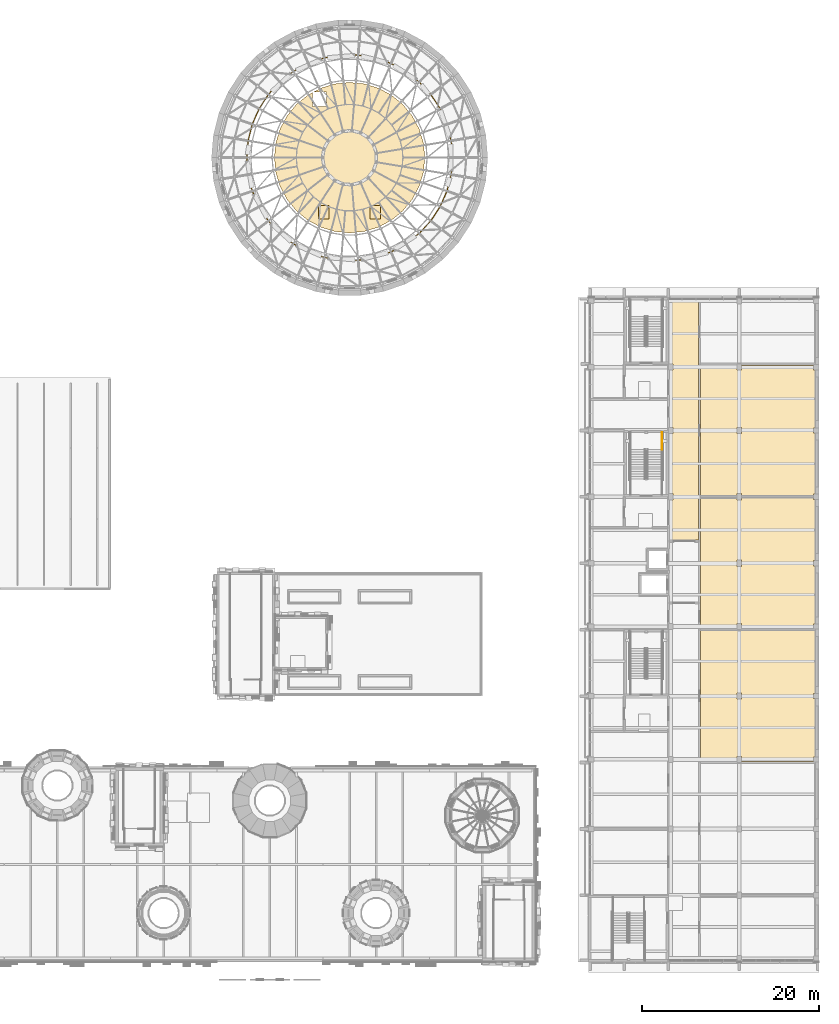
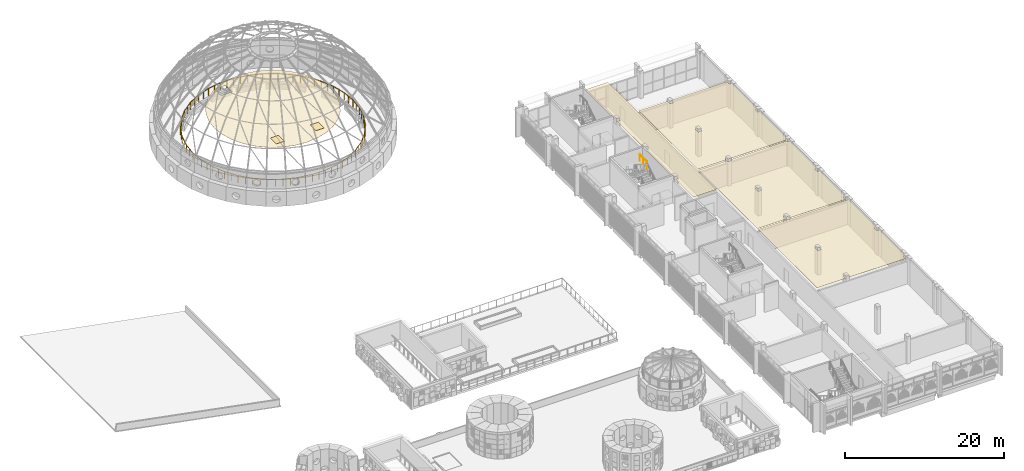
# One storey, part 94 of 98: 7 coverings, 2 railings.
"""IFC4 building model written with IfcOpenShell, lengths in metres."""

from ifc_helpers import new_model, si_unit, direction, frame, origin, origin_2d, place, context, subcontext, project, spatial, polyline, circle, outline, extrude, material, layer, layer_set, type_object, element, save


model = new_model("IFC4")

# Units and contexts
model_context = context("Model", 3, precision=1e-05, world=origin(), true_north=direction((0.0, 1.0)))
body_context = subcontext(model_context, "Body", "Model", "MODEL_VIEW")
ifc_project = project(units=[si_unit("LENGTHUNIT", "METRE"), si_unit("AREAUNIT", "SQUARE_METRE"), si_unit("VOLUMEUNIT", "CUBIC_METRE"), si_unit("PLANEANGLEUNIT", "RADIAN"), si_unit("MASSUNIT", "GRAM", prefix="KILO")], contexts=[model_context])

# Site, building, storey
site_placement = place(None, origin())
site = spatial("IfcSite", under=ifc_project, at=site_placement, CompositionType="ELEMENT")
building_placement = place(site_placement, origin())
building = spatial("IfcBuilding", under=site, at=building_placement, Name="Sun Court Science Centre", CompositionType="ELEMENT")
storey_placement = place(building_placement, frame((0.0, 0.0, 15.75)))
storey = spatial("IfcBuildingStorey", under=building, at=storey_placement, Name="L03", CompositionType="ELEMENT", Elevation=15.75)

# Coverings
ifc_material_1 = material(Name="Perforated steel", Category="steel")
ifc_layer_1 = layer(ifc_material_1, 0.030029296875)
ifc_layer_set_1 = layer_set([ifc_layer_1], Name="Perforated steel")
covering_type_1 = type_object("IfcCoveringType", Name="Ceiling acoustic perforated", PredefinedType="CEILING", material=ifc_layer_set_1)
covering_1_placement = place(storey_placement, frame((0.0, 0.0, 3.77001953125)))
element("IfcCovering", 1, at=covering_1_placement, inside=storey, type_object=covering_type_1, Name="L01-071 ceiling", PredefinedType="CEILING", context=body_context, shape_type="SweptSolid", body=[
    extrude(outline(polyline([(49.341796875, 105.13623046875), (51.0, 105.299560546875), (52.658203125, 105.13623046875), (54.252685546875, 104.652587890625), (55.72216796875, 103.8671875), (57.010009765625, 102.81005859375), (58.067138671875, 101.522216796875), (58.8525390625, 100.052490234375), (59.336181640625, 98.458251953125), (59.49951171875, 96.800048828125), (59.336181640625, 95.141845703125), (58.8525390625, 93.54736328125), (58.067138671875, 92.077880859375), (57.010009765625, 90.789794921875), (55.72216796875, 89.73291015625), (54.252685546875, 88.947509765625), (52.658203125, 88.4638671875), (51.0, 88.300537109375), (49.341796875, 88.4638671875), (47.747314453125, 88.947509765625), (46.27783203125, 89.73291015625), (44.989990234375, 90.789794921875), (43.932861328125, 92.077880859375), (43.1474609375, 93.54736328125), (42.663818359375, 95.141845703125), (42.50048828125, 96.800048828125), (42.663818359375, 98.458251953125), (43.1474609375, 100.052490234375), (43.932861328125, 101.522216796875), (44.989990234375, 102.81005859375), (46.27783203125, 103.8671875), (46.800048828125, 104.14599609375), (46.800048828125, 102.60009765625), (48.39990234375, 102.60009765625), (48.39990234375, 104.199951171875), (46.90087890625, 104.199951171875), (47.747314453125, 104.652587890625), (49.341796875, 105.13623046875)]), holes=[polyline([(53.300048828125, 91.39990234375), (53.300048828125, 89.89990234375), (54.5, 89.89990234375), (54.5, 91.39990234375), (53.300048828125, 91.39990234375)]), polyline([(47.5, 91.39990234375), (47.5, 89.89990234375), (48.699951171875, 89.89990234375), (48.699951171875, 91.39990234375), (47.5, 91.39990234375)])]), origin(), (0.0, 0.0, 1.0), 0.030029296875),
])
ifc_material_2 = material(Name="Gypsum board")
ifc_layer_2 = layer(ifc_material_2, 0.030029296875)
ifc_layer_set_2 = layer_set([ifc_layer_2], Name="Gypsum board")
covering_type_2 = type_object("IfcCoveringType", Name="Ceiling suspended 600 module", PredefinedType="CEILING", material=ifc_layer_set_2)
covering_2_placement = place(storey_placement, frame((0.0, 0.0, 3.77001953125)))
element("IfcCovering", 2, at=covering_2_placement, inside=storey, type_object=covering_type_2, Name="L01-078 ceiling", PredefinedType="CEILING", context=body_context, shape_type="SweptSolid", body=[
    extrude(outline(polyline([(48.699951171875, 91.39990234375), (48.699951171875, 89.89990234375), (47.5, 89.89990234375), (47.5, 91.39990234375), (48.699951171875, 91.39990234375)])), origin(), (0.0, 0.0, 1.0), 0.030029296875),
])
covering_3_placement = place(storey_placement, frame((0.0, 0.0, 3.77001953125)))
element("IfcCovering", 3, at=covering_3_placement, inside=storey, type_object=covering_type_2, Name="L01-079 ceiling", PredefinedType="CEILING", context=body_context, shape_type="SweptSolid", body=[
    extrude(outline(polyline([(54.5, 91.39990234375), (54.5, 89.89990234375), (53.300048828125, 89.89990234375), (53.300048828125, 91.39990234375), (54.5, 91.39990234375)])), origin(), (0.0, 0.0, 1.0), 0.030029296875),
])
covering_4_placement = place(storey_placement, frame((0.0, 0.0, 3.77001953125)))
element("IfcCovering", 4, at=covering_4_placement, inside=storey, type_object=covering_type_2, Name="L03-011 ceiling", PredefinedType="CEILING", context=body_context, shape_type="SweptSolid", body=[
    extrude(outline(polyline([(90.39990234375, 80.800048828125), (90.39990234375, 53.60009765625), (87.10009765625, 53.60009765625), (87.10009765625, 58.14990234375), (87.5, 58.14990234375), (87.5, 58.85009765625), (87.10009765625, 58.85009765625), (87.10009765625, 65.64990234375), (87.5, 65.64990234375), (87.5, 66.35009765625), (87.10009765625, 66.35009765625), (87.10009765625, 72.800048828125), (87.5, 72.800048828125), (87.5, 73.5), (87.10009765625, 73.5), (87.10009765625, 80.800048828125), (90.39990234375, 80.800048828125)])), origin(), (0.0, 0.0, 1.0), 0.030029296875),
])
covering_5_placement = place(storey_placement, frame((0.0, 0.0, 3.77001953125)))
element("IfcCovering", 5, at=covering_5_placement, inside=storey, type_object=covering_type_2, Name="L03-025 ceiling", PredefinedType="CEILING", context=body_context, shape_type="SweptSolid", body=[
    extrude(outline(polyline([(95.25, 28.60009765625), (95.25, 29.199951171875), (94.75, 29.199951171875), (94.75, 28.60009765625), (90.60009765625, 28.60009765625), (90.60009765625, 43.39990234375), (103.800048828125, 43.39990234375), (103.800048828125, 36.300048828125), (103.39990234375, 36.300048828125), (103.39990234375, 35.699951171875), (103.800048828125, 35.699951171875), (103.800048828125, 29.14990234375), (103.39990234375, 29.14990234375), (103.39990234375, 28.60009765625), (95.25, 28.60009765625)]), holes=[polyline([(95.25, 35.64990234375), (95.25, 36.35009765625), (94.75, 36.35009765625), (94.75, 35.64990234375), (95.25, 35.64990234375)])]), origin(), (0.0, 0.0, 1.0), 0.030029296875),
])
covering_6_placement = place(storey_placement, frame((0.0, 0.0, 3.77001953125)))
element("IfcCovering", 6, at=covering_6_placement, inside=storey, type_object=covering_type_2, Name="L03-026 ceiling", PredefinedType="CEILING", context=body_context, shape_type="SweptSolid", body=[
    extrude(outline(polyline([(95.25, 43.60009765625), (95.25, 44.199951171875), (94.75, 44.199951171875), (94.75, 43.60009765625), (90.60009765625, 43.60009765625), (90.60009765625, 58.39990234375), (94.75, 58.39990234375), (94.75, 58.14990234375), (95.25, 58.14990234375), (95.25, 58.39990234375), (103.39990234375, 58.39990234375), (103.39990234375, 58.199951171875), (103.800048828125, 58.199951171875), (103.800048828125, 51.300048828125), (103.39990234375, 51.300048828125), (103.39990234375, 50.699951171875), (103.800048828125, 50.699951171875), (103.800048828125, 44.14990234375), (103.39990234375, 44.14990234375), (103.39990234375, 43.60009765625), (95.25, 43.60009765625)]), holes=[polyline([(95.25, 50.64990234375), (95.25, 51.35009765625), (94.75, 51.35009765625), (94.75, 50.64990234375), (95.25, 50.64990234375)])]), origin(), (0.0, 0.0, 1.0), 0.030029296875),
])
covering_7_placement = place(storey_placement, frame((0.0, 0.0, 3.77001953125)))
element("IfcCovering", 7, at=covering_7_placement, inside=storey, type_object=covering_type_2, Name="L03-027 ceiling", PredefinedType="CEILING", context=body_context, shape_type="SweptSolid", body=[
    extrude(outline(polyline([(95.25, 58.60009765625), (95.25, 58.85009765625), (94.75, 58.85009765625), (94.75, 58.60009765625), (90.60009765625, 58.60009765625), (90.60009765625, 73.39990234375), (94.75, 73.39990234375), (94.75, 72.800048828125), (95.25, 72.800048828125), (95.25, 73.39990234375), (103.39990234375, 73.39990234375), (103.39990234375, 72.85009765625), (103.800048828125, 72.85009765625), (103.800048828125, 66.300048828125), (103.39990234375, 66.300048828125), (103.39990234375, 65.699951171875), (103.800048828125, 65.699951171875), (103.800048828125, 58.800048828125), (103.39990234375, 58.800048828125), (103.39990234375, 58.60009765625), (95.25, 58.60009765625)]), holes=[polyline([(95.25, 66.35009765625), (94.75, 66.35009765625), (94.75, 65.64990234375), (95.25, 65.64990234375), (95.25, 66.35009765625)])]), origin(), (0.0, 0.0, 1.0), 0.030029296875),
])

# Railings
ifc_material_3 = material(Name="Steel S275", Category="steel")
railing_type_1 = type_object("IfcRailingType", Name="Guard 1100 steel balustrade", PredefinedType="GUARDRAIL", material=ifc_material_3)
railing_1_placement = place(storey_placement, frame((86.27294921875, 63.85791015625, 2.25)))
element("IfcRailing", 8, at=railing_1_placement, inside=storey, type_object=railing_type_1, Name="L03 SL3 stair guard 3", PredefinedType="GUARDRAIL", context=body_context, shape_type="SweptSolid", body=[
    extrude(circle(Radius=0.02392578125, at=origin_2d()), frame((0.0, 0.0, 1.076171875), z_axis=(0.0, 1.0, 0.0), x_axis=(-1.0, 0.0, 0.0)), (0.0, 0.0, 1.0), 1.89208984375),
    extrude(circle(Radius=0.02099609375, at=origin_2d()), origin(), (0.0, 0.0, 1.0), 1.052001953125),
    extrude(circle(Radius=0.02099609375, at=origin_2d()), frame((0.0, 0.946044921875, 0.0)), (0.0, 0.0, 1.0), 1.052001953125),
    extrude(circle(Radius=0.02099609375, at=origin_2d()), frame((0.0, 1.89208984375, 0.0)), (0.0, 0.0, 1.0), 1.052001953125),
])
ifc_material_4 = material(Name="Steel S275", Category="steel")
railing_type_2 = type_object("IfcRailingType", Name="Guard 1100 well balustrade", PredefinedType="GUARDRAIL", material=ifc_material_4)
railing_2_placement = place(storey_placement, frame((62.46142578125, 98.712646484375, 0.0)))
element("IfcRailing", 9, at=railing_2_placement, inside=storey, type_object=railing_type_2, Name="Planetarium gallery guard L03", PredefinedType="GUARDRAIL", context=body_context, shape_type="SweptSolid", body=[
    extrude(circle(Radius=0.02392578125, at=origin_2d()), frame((0.0, 0.0, 1.076171875), z_axis=(-0.245408246446, 0.969419822665, 0.0), x_axis=(-0.969419822665, -0.245408246446, 0.0)), (0.0, 0.0, 1.0), 1.9189453125),
    extrude(circle(Radius=0.02392578125, at=origin_2d()), frame((-0.470947265625, 1.8603515625, 1.076171875), z_axis=(-0.401719515617, 0.915762759001, 0.0), x_axis=(-0.915762759001, -0.401719515617, 0.0)), (0.0, 0.0, 1.0), 1.919189453125),
    extrude(circle(Radius=0.02392578125, at=origin_2d()), frame((-1.241943359375, 3.617919921875, 1.076171875), z_axis=(-0.546896276847, 0.837200371698, 0.0), x_axis=(-0.837200371698, -0.546896276847, 0.0)), (0.0, 0.0, 1.0), 1.919189453125),
    extrude(circle(Radius=0.02392578125, at=origin_2d()), frame((-2.29150390625, 5.224609375, 1.076171875), z_axis=(-0.677307289058, 0.735700235278, 0.0), x_axis=(-0.735700235278, -0.677307289058, 0.0)), (0.0, 0.0, 1.0), 1.919189453125),
    extrude(circle(Radius=0.02392578125, at=origin_2d()), frame((-3.59130859375, 6.636474609375, 1.076171875), z_axis=(-0.789187799417, 0.614151949643, 0.0), x_axis=(-0.614151949643, -0.789187799417, 0.0)), (0.0, 0.0, 1.0), 1.919189453125),
    extrude(circle(Radius=0.02392578125, at=origin_2d()), frame((-5.10595703125, 7.815185546875, 1.076171875), z_axis=(-0.87942734087, 0.47603314184, 0.0), x_axis=(-0.47603314184, -0.87942734087, 0.0)), (0.0, 0.0, 1.0), 1.919189453125),
    extrude(circle(Radius=0.02392578125, at=origin_2d()), frame((-6.793701171875, 8.728759765625, 1.076171875), z_axis=(-0.945834380521, 0.324649541236, 0.0), x_axis=(-0.324649541236, -0.945834380521, 0.0)), (0.0, 0.0, 1.0), 1.919189453125),
    extrude(circle(Radius=0.02392578125, at=origin_2d()), frame((-8.60888671875, 9.351806640625, 1.076171875), z_axis=(-0.986359522116, 0.164605264588, 0.0), x_axis=(-0.164605264588, -0.986359522116, 0.0)), (0.0, 0.0, 1.0), 1.919189453125),
    extrude(circle(Radius=0.02392578125, at=origin_2d()), frame((-10.501953125, 9.667724609375, 1.076171875), z_axis=(-1.0, 0.0, 0.0), x_axis=(0.0, -1.0, 0.0)), (0.0, 0.0, 1.0), 1.9189453125),
    extrude(circle(Radius=0.02392578125, at=origin_2d()), frame((-12.4208984375, 9.667724609375, 1.076171875), z_axis=(-0.986359522116, -0.164605264588, 0.0), x_axis=(0.164605264588, -0.986359522116, 0.0)), (0.0, 0.0, 1.0), 1.919189453125),
    extrude(circle(Radius=0.02392578125, at=origin_2d()), frame((-14.31396484375, 9.351806640625, 1.076171875), z_axis=(-0.945834380521, -0.324649541236, 0.0), x_axis=(0.324649541236, -0.945834380521, 0.0)), (0.0, 0.0, 1.0), 1.919189453125),
    extrude(circle(Radius=0.02392578125, at=origin_2d()), frame((-16.129150390625, 8.728759765625, 1.076171875), z_axis=(-0.87942734087, -0.47603314184, 0.0), x_axis=(0.47603314184, -0.87942734087, 0.0)), (0.0, 0.0, 1.0), 1.919189453125),
    extrude(circle(Radius=0.02392578125, at=origin_2d()), frame((-17.81689453125, 7.815185546875, 1.076171875), z_axis=(-0.789187799417, -0.614151949643, 0.0), x_axis=(0.614151949643, -0.789187799417, 0.0)), (0.0, 0.0, 1.0), 1.919189453125),
    extrude(circle(Radius=0.02392578125, at=origin_2d()), frame((-19.33154296875, 6.636474609375, 1.076171875), z_axis=(-0.677307289058, -0.735700235278, 0.0), x_axis=(0.735700235278, -0.677307289058, 0.0)), (0.0, 0.0, 1.0), 1.919189453125),
    extrude(circle(Radius=0.02392578125, at=origin_2d()), frame((-20.63134765625, 5.224609375, 1.076171875), z_axis=(-0.546896276847, -0.837200371698, 0.0), x_axis=(0.837200371698, -0.546896276847, 0.0)), (0.0, 0.0, 1.0), 1.919189453125),
    extrude(circle(Radius=0.02392578125, at=origin_2d()), frame((-21.680908203125, 3.617919921875, 1.076171875), z_axis=(-0.401719515617, -0.915762759001, 0.0), x_axis=(0.915762759001, -0.401719515617, 0.0)), (0.0, 0.0, 1.0), 1.919189453125),
    extrude(circle(Radius=0.02392578125, at=origin_2d()), frame((-22.451904296875, 1.8603515625, 1.076171875), z_axis=(-0.245408246446, -0.969419822665, 0.0), x_axis=(0.969419822665, -0.245408246446, 0.0)), (0.0, 0.0, 1.0), 1.9189453125),
    extrude(circle(Radius=0.02392578125, at=origin_2d()), frame((-22.9228515625, 0.0, 1.076171875), z_axis=(-0.082687527428, -0.996575522882, 0.0), x_axis=(0.996575522882, -0.082687527428, 0.0)), (0.0, 0.0, 1.0), 1.919189453125),
    extrude(circle(Radius=0.02392578125, at=origin_2d()), frame((-23.08154296875, -1.91259765625, 1.076171875), z_axis=(0.082687527428, -0.996575522882, 0.0), x_axis=(0.996575522882, 0.082687527428, 0.0)), (0.0, 0.0, 1.0), 1.919189453125),
    extrude(circle(Radius=0.02392578125, at=origin_2d()), frame((-22.9228515625, -3.8251953125, 1.076171875), z_axis=(0.245408246446, -0.969419822665, 0.0), x_axis=(0.969419822665, 0.245408246446, 0.0)), (0.0, 0.0, 1.0), 1.9189453125),
    extrude(circle(Radius=0.02392578125, at=origin_2d()), frame((-22.451904296875, -5.685546875, 1.076171875), z_axis=(0.401719515617, -0.915762759001, 0.0), x_axis=(0.915762759001, 0.401719515617, 0.0)), (0.0, 0.0, 1.0), 1.919189453125),
    extrude(circle(Radius=0.02392578125, at=origin_2d()), frame((-21.680908203125, -7.443115234375, 1.076171875), z_axis=(0.546896276847, -0.837200371698, 0.0), x_axis=(0.837200371698, 0.546896276847, 0.0)), (0.0, 0.0, 1.0), 1.919189453125),
    extrude(circle(Radius=0.02392578125, at=origin_2d()), frame((-20.63134765625, -9.0498046875, 1.076171875), z_axis=(0.677307289058, -0.735700235278, 0.0), x_axis=(0.735700235278, 0.677307289058, 0.0)), (0.0, 0.0, 1.0), 1.919189453125),
    extrude(circle(Radius=0.02392578125, at=origin_2d()), frame((-19.33154296875, -10.461669921875, 1.076171875), z_axis=(0.789126145759, -0.614231166646, 0.0), x_axis=(0.614231166646, 0.789126145759, 0.0)), (0.0, 0.0, 1.0), 1.91943359375),
    extrude(circle(Radius=0.02392578125, at=origin_2d()), frame((-17.81689453125, -11.640625, 1.076171875), z_axis=(0.879480594838, -0.475934746896, 0.0), x_axis=(0.475934746896, 0.879480594838, 0.0)), (0.0, 0.0, 1.0), 1.9189453125),
    extrude(circle(Radius=0.02392578125, at=origin_2d()), frame((-16.129150390625, -12.553955078125, 1.076171875), z_axis=(0.945834380521, -0.324649541236, 0.0), x_axis=(0.324649541236, 0.945834380521, 0.0)), (0.0, 0.0, 1.0), 1.919189453125),
    extrude(circle(Radius=0.02392578125, at=origin_2d()), frame((-14.31396484375, -13.177001953125, 1.076171875), z_axis=(0.986359522116, -0.164605264588, 0.0), x_axis=(0.164605264588, 0.986359522116, 0.0)), (0.0, 0.0, 1.0), 1.919189453125),
    extrude(circle(Radius=0.02392578125, at=origin_2d()), frame((-12.4208984375, -13.492919921875, 1.076171875), z_axis=(1.0, 0.0, 0.0), x_axis=(0.0, 1.0, 0.0)), (0.0, 0.0, 1.0), 1.9189453125),
    extrude(circle(Radius=0.02392578125, at=origin_2d()), frame((-10.501953125, -13.492919921875, 1.076171875), z_axis=(0.986359522116, 0.164605264588, 0.0), x_axis=(-0.164605264588, 0.986359522116, 0.0)), (0.0, 0.0, 1.0), 1.919189453125),
    extrude(circle(Radius=0.02392578125, at=origin_2d()), frame((-8.60888671875, -13.177001953125, 1.076171875), z_axis=(0.945834380521, 0.324649541236, 0.0), x_axis=(-0.324649541236, 0.945834380521, 0.0)), (0.0, 0.0, 1.0), 1.919189453125),
    extrude(circle(Radius=0.02392578125, at=origin_2d()), frame((-6.793701171875, -12.553955078125, 1.076171875), z_axis=(0.879480594838, 0.475934746896, 0.0), x_axis=(-0.475934746896, 0.879480594838, 0.0)), (0.0, 0.0, 1.0), 1.9189453125),
    extrude(circle(Radius=0.02392578125, at=origin_2d()), frame((-5.10595703125, -11.640625, 1.076171875), z_axis=(0.789126145759, 0.614231166646, 0.0), x_axis=(-0.614231166646, 0.789126145759, 0.0)), (0.0, 0.0, 1.0), 1.91943359375),
    extrude(circle(Radius=0.02392578125, at=origin_2d()), frame((-3.59130859375, -10.461669921875, 1.076171875), z_axis=(0.677307289058, 0.735700235278, 0.0), x_axis=(-0.735700235278, 0.677307289058, 0.0)), (0.0, 0.0, 1.0), 1.919189453125),
    extrude(circle(Radius=0.02392578125, at=origin_2d()), frame((-2.29150390625, -9.0498046875, 1.076171875), z_axis=(0.546896276847, 0.837200371698, 0.0), x_axis=(-0.837200371698, 0.546896276847, 0.0)), (0.0, 0.0, 1.0), 1.919189453125),
    extrude(circle(Radius=0.02392578125, at=origin_2d()), frame((-1.241943359375, -7.443115234375, 1.076171875), z_axis=(0.401719515617, 0.915762759001, 0.0), x_axis=(-0.915762759001, 0.401719515617, 0.0)), (0.0, 0.0, 1.0), 1.919189453125),
    extrude(circle(Radius=0.02392578125, at=origin_2d()), frame((-0.470947265625, -5.685546875, 1.076171875), z_axis=(0.245408246446, 0.969419822665, 0.0), x_axis=(-0.969419822665, 0.245408246446, 0.0)), (0.0, 0.0, 1.0), 1.9189453125),
    extrude(circle(Radius=0.02392578125, at=origin_2d()), frame((0.0, -3.8251953125, 1.076171875), z_axis=(0.082687527428, 0.996575522882, 0.0), x_axis=(-0.996575522882, 0.082687527428, 0.0)), (0.0, 0.0, 1.0), 1.919189453125),
    extrude(circle(Radius=0.02392578125, at=origin_2d()), frame((0.15869140625, -1.91259765625, 1.076171875), z_axis=(-0.082687527428, 0.996575522882, 0.0), x_axis=(-0.996575522882, -0.082687527428, 0.0)), (0.0, 0.0, 1.0), 1.919189453125),
    extrude(circle(Radius=0.02099609375, at=origin_2d()), origin(), (0.0, 0.0, 1.0), 1.052001953125),
    extrude(circle(Radius=0.02099609375, at=origin_2d()), frame((-0.2353515625, 0.93017578125, 0.0)), (0.0, 0.0, 1.0), 1.052001953125),
    extrude(circle(Radius=0.02099609375, at=origin_2d()), frame((-0.470947265625, 1.8603515625, 0.0)), (0.0, 0.0, 1.0), 1.052001953125),
    extrude(circle(Radius=0.02099609375, at=origin_2d()), frame((-0.8564453125, 2.7392578125, 0.0)), (0.0, 0.0, 1.0), 1.052001953125),
    extrude(circle(Radius=0.02099609375, at=origin_2d()), frame((-1.241943359375, 3.617919921875, 0.0)), (0.0, 0.0, 1.0), 1.052001953125),
    extrude(circle(Radius=0.02099609375, at=origin_2d()), frame((-1.7666015625, 4.42138671875, 0.0)), (0.0, 0.0, 1.0), 1.052001953125),
    extrude(circle(Radius=0.02099609375, at=origin_2d()), frame((-2.29150390625, 5.224609375, 0.0)), (0.0, 0.0, 1.0), 1.052001953125),
    extrude(circle(Radius=0.02099609375, at=origin_2d()), frame((-2.94140625, 5.9306640625, 0.0)), (0.0, 0.0, 1.0), 1.052001953125),
    extrude(circle(Radius=0.02099609375, at=origin_2d()), frame((-3.59130859375, 6.636474609375, 0.0)), (0.0, 0.0, 1.0), 1.052001953125),
    extrude(circle(Radius=0.02099609375, at=origin_2d()), frame((-4.3486328125, 7.225830078125, 0.0)), (0.0, 0.0, 1.0), 1.052001953125),
    extrude(circle(Radius=0.02099609375, at=origin_2d()), frame((-5.10595703125, 7.815185546875, 0.0)), (0.0, 0.0, 1.0), 1.052001953125),
    extrude(circle(Radius=0.02099609375, at=origin_2d()), frame((-5.94970703125, 8.27197265625, 0.0)), (0.0, 0.0, 1.0), 1.052001953125),
    extrude(circle(Radius=0.02099609375, at=origin_2d()), frame((-6.793701171875, 8.728759765625, 0.0)), (0.0, 0.0, 1.0), 1.052001953125),
    extrude(circle(Radius=0.02099609375, at=origin_2d()), frame((-7.701171875, 9.040283203125, 0.0)), (0.0, 0.0, 1.0), 1.052001953125),
    extrude(circle(Radius=0.02099609375, at=origin_2d()), frame((-8.60888671875, 9.351806640625, 0.0)), (0.0, 0.0, 1.0), 1.052001953125),
    extrude(circle(Radius=0.02099609375, at=origin_2d()), frame((-9.555419921875, 9.509765625, 0.0)), (0.0, 0.0, 1.0), 1.052001953125),
    extrude(circle(Radius=0.02099609375, at=origin_2d()), frame((-10.501953125, 9.667724609375, 0.0)), (0.0, 0.0, 1.0), 1.052001953125),
    extrude(circle(Radius=0.02099609375, at=origin_2d()), frame((-11.46142578125, 9.667724609375, 0.0)), (0.0, 0.0, 1.0), 1.052001953125),
    extrude(circle(Radius=0.02099609375, at=origin_2d()), frame((-12.4208984375, 9.667724609375, 0.0)), (0.0, 0.0, 1.0), 1.052001953125),
    extrude(circle(Radius=0.02099609375, at=origin_2d()), frame((-13.367431640625, 9.509765625, 0.0)), (0.0, 0.0, 1.0), 1.052001953125),
    extrude(circle(Radius=0.02099609375, at=origin_2d()), frame((-14.31396484375, 9.351806640625, 0.0)), (0.0, 0.0, 1.0), 1.052001953125),
    extrude(circle(Radius=0.02099609375, at=origin_2d()), frame((-15.2216796875, 9.040283203125, 0.0)), (0.0, 0.0, 1.0), 1.052001953125),
    extrude(circle(Radius=0.02099609375, at=origin_2d()), frame((-16.129150390625, 8.728759765625, 0.0)), (0.0, 0.0, 1.0), 1.052001953125),
    extrude(circle(Radius=0.02099609375, at=origin_2d()), frame((-16.97314453125, 8.27197265625, 0.0)), (0.0, 0.0, 1.0), 1.052001953125),
    extrude(circle(Radius=0.02099609375, at=origin_2d()), frame((-17.81689453125, 7.815185546875, 0.0)), (0.0, 0.0, 1.0), 1.052001953125),
    extrude(circle(Radius=0.02099609375, at=origin_2d()), frame((-18.57421875, 7.225830078125, 0.0)), (0.0, 0.0, 1.0), 1.052001953125),
    extrude(circle(Radius=0.02099609375, at=origin_2d()), frame((-19.33154296875, 6.636474609375, 0.0)), (0.0, 0.0, 1.0), 1.052001953125),
    extrude(circle(Radius=0.02099609375, at=origin_2d()), frame((-19.9814453125, 5.9306640625, 0.0)), (0.0, 0.0, 1.0), 1.052001953125),
    extrude(circle(Radius=0.02099609375, at=origin_2d()), frame((-20.63134765625, 5.224609375, 0.0)), (0.0, 0.0, 1.0), 1.052001953125),
    extrude(circle(Radius=0.02099609375, at=origin_2d()), frame((-21.15625, 4.42138671875, 0.0)), (0.0, 0.0, 1.0), 1.052001953125),
    extrude(circle(Radius=0.02099609375, at=origin_2d()), frame((-21.680908203125, 3.617919921875, 0.0)), (0.0, 0.0, 1.0), 1.052001953125),
    extrude(circle(Radius=0.02099609375, at=origin_2d()), frame((-22.06640625, 2.7392578125, 0.0)), (0.0, 0.0, 1.0), 1.052001953125),
    extrude(circle(Radius=0.02099609375, at=origin_2d()), frame((-22.451904296875, 1.8603515625, 0.0)), (0.0, 0.0, 1.0), 1.052001953125),
    extrude(circle(Radius=0.02099609375, at=origin_2d()), frame((-22.6875, 0.93017578125, 0.0)), (0.0, 0.0, 1.0), 1.052001953125),
    extrude(circle(Radius=0.02099609375, at=origin_2d()), frame((-22.9228515625, 0.0, 0.0)), (0.0, 0.0, 1.0), 1.052001953125),
    extrude(circle(Radius=0.02099609375, at=origin_2d()), frame((-23.002197265625, -0.956298828125, 0.0)), (0.0, 0.0, 1.0), 1.052001953125),
    extrude(circle(Radius=0.02099609375, at=origin_2d()), frame((-23.08154296875, -1.91259765625, 0.0)), (0.0, 0.0, 1.0), 1.052001953125),
    extrude(circle(Radius=0.02099609375, at=origin_2d()), frame((-23.002197265625, -2.868896484375, 0.0)), (0.0, 0.0, 1.0), 1.052001953125),
    extrude(circle(Radius=0.02099609375, at=origin_2d()), frame((-22.9228515625, -3.8251953125, 0.0)), (0.0, 0.0, 1.0), 1.052001953125),
    extrude(circle(Radius=0.02099609375, at=origin_2d()), frame((-22.6875, -4.75537109375, 0.0)), (0.0, 0.0, 1.0), 1.052001953125),
    extrude(circle(Radius=0.02099609375, at=origin_2d()), frame((-22.451904296875, -5.685546875, 0.0)), (0.0, 0.0, 1.0), 1.052001953125),
    extrude(circle(Radius=0.02099609375, at=origin_2d()), frame((-22.06640625, -6.564453125, 0.0)), (0.0, 0.0, 1.0), 1.052001953125),
    extrude(circle(Radius=0.02099609375, at=origin_2d()), frame((-21.680908203125, -7.443115234375, 0.0)), (0.0, 0.0, 1.0), 1.052001953125),
    extrude(circle(Radius=0.02099609375, at=origin_2d()), frame((-21.15625, -8.24658203125, 0.0)), (0.0, 0.0, 1.0), 1.052001953125),
    extrude(circle(Radius=0.02099609375, at=origin_2d()), frame((-20.63134765625, -9.0498046875, 0.0)), (0.0, 0.0, 1.0), 1.052001953125),
    extrude(circle(Radius=0.02099609375, at=origin_2d()), frame((-19.9814453125, -9.755859375, 0.0)), (0.0, 0.0, 1.0), 1.052001953125),
    extrude(circle(Radius=0.02099609375, at=origin_2d()), frame((-19.33154296875, -10.461669921875, 0.0)), (0.0, 0.0, 1.0), 1.052001953125),
    extrude(circle(Radius=0.02099609375, at=origin_2d()), frame((-18.57421875, -11.05126953125, 0.0)), (0.0, 0.0, 1.0), 1.052001953125),
    extrude(circle(Radius=0.02099609375, at=origin_2d()), frame((-17.81689453125, -11.640625, 0.0)), (0.0, 0.0, 1.0), 1.052001953125),
    extrude(circle(Radius=0.02099609375, at=origin_2d()), frame((-16.97314453125, -12.09716796875, 0.0)), (0.0, 0.0, 1.0), 1.052001953125),
    extrude(circle(Radius=0.02099609375, at=origin_2d()), frame((-16.129150390625, -12.553955078125, 0.0)), (0.0, 0.0, 1.0), 1.052001953125),
    extrude(circle(Radius=0.02099609375, at=origin_2d()), frame((-15.2216796875, -12.865478515625, 0.0)), (0.0, 0.0, 1.0), 1.052001953125),
    extrude(circle(Radius=0.02099609375, at=origin_2d()), frame((-14.31396484375, -13.177001953125, 0.0)), (0.0, 0.0, 1.0), 1.052001953125),
    extrude(circle(Radius=0.02099609375, at=origin_2d()), frame((-13.367431640625, -13.3349609375, 0.0)), (0.0, 0.0, 1.0), 1.052001953125),
    extrude(circle(Radius=0.02099609375, at=origin_2d()), frame((-12.4208984375, -13.492919921875, 0.0)), (0.0, 0.0, 1.0), 1.052001953125),
    extrude(circle(Radius=0.02099609375, at=origin_2d()), frame((-11.46142578125, -13.492919921875, 0.0)), (0.0, 0.0, 1.0), 1.052001953125),
    extrude(circle(Radius=0.02099609375, at=origin_2d()), frame((-10.501953125, -13.492919921875, 0.0)), (0.0, 0.0, 1.0), 1.052001953125),
    extrude(circle(Radius=0.02099609375, at=origin_2d()), frame((-9.555419921875, -13.3349609375, 0.0)), (0.0, 0.0, 1.0), 1.052001953125),
    extrude(circle(Radius=0.02099609375, at=origin_2d()), frame((-8.60888671875, -13.177001953125, 0.0)), (0.0, 0.0, 1.0), 1.052001953125),
    extrude(circle(Radius=0.02099609375, at=origin_2d()), frame((-7.701171875, -12.865478515625, 0.0)), (0.0, 0.0, 1.0), 1.052001953125),
    extrude(circle(Radius=0.02099609375, at=origin_2d()), frame((-6.793701171875, -12.553955078125, 0.0)), (0.0, 0.0, 1.0), 1.052001953125),
    extrude(circle(Radius=0.02099609375, at=origin_2d()), frame((-5.94970703125, -12.09716796875, 0.0)), (0.0, 0.0, 1.0), 1.052001953125),
    extrude(circle(Radius=0.02099609375, at=origin_2d()), frame((-5.10595703125, -11.640625, 0.0)), (0.0, 0.0, 1.0), 1.052001953125),
    extrude(circle(Radius=0.02099609375, at=origin_2d()), frame((-4.3486328125, -11.05126953125, 0.0)), (0.0, 0.0, 1.0), 1.052001953125),
    extrude(circle(Radius=0.02099609375, at=origin_2d()), frame((-3.59130859375, -10.461669921875, 0.0)), (0.0, 0.0, 1.0), 1.052001953125),
    extrude(circle(Radius=0.02099609375, at=origin_2d()), frame((-2.94140625, -9.755859375, 0.0)), (0.0, 0.0, 1.0), 1.052001953125),
    extrude(circle(Radius=0.02099609375, at=origin_2d()), frame((-2.29150390625, -9.0498046875, 0.0)), (0.0, 0.0, 1.0), 1.052001953125),
    extrude(circle(Radius=0.02099609375, at=origin_2d()), frame((-1.7666015625, -8.24658203125, 0.0)), (0.0, 0.0, 1.0), 1.052001953125),
    extrude(circle(Radius=0.02099609375, at=origin_2d()), frame((-1.241943359375, -7.443115234375, 0.0)), (0.0, 0.0, 1.0), 1.052001953125),
    extrude(circle(Radius=0.02099609375, at=origin_2d()), frame((-0.8564453125, -6.564453125, 0.0)), (0.0, 0.0, 1.0), 1.052001953125),
    extrude(circle(Radius=0.02099609375, at=origin_2d()), frame((-0.470947265625, -5.685546875, 0.0)), (0.0, 0.0, 1.0), 1.052001953125),
    extrude(circle(Radius=0.02099609375, at=origin_2d()), frame((-0.2353515625, -4.75537109375, 0.0)), (0.0, 0.0, 1.0), 1.052001953125),
    extrude(circle(Radius=0.02099609375, at=origin_2d()), frame((0.0, -3.8251953125, 0.0)), (0.0, 0.0, 1.0), 1.052001953125),
    extrude(circle(Radius=0.02099609375, at=origin_2d()), frame((0.079345703125, -2.868896484375, 0.0)), (0.0, 0.0, 1.0), 1.052001953125),
    extrude(circle(Radius=0.02099609375, at=origin_2d()), frame((0.15869140625, -1.91259765625, 0.0)), (0.0, 0.0, 1.0), 1.052001953125),
    extrude(circle(Radius=0.02099609375, at=origin_2d()), frame((0.079345703125, -0.956298828125, 0.0)), (0.0, 0.0, 1.0), 1.052001953125),
])

save(model, "model.ifc")
